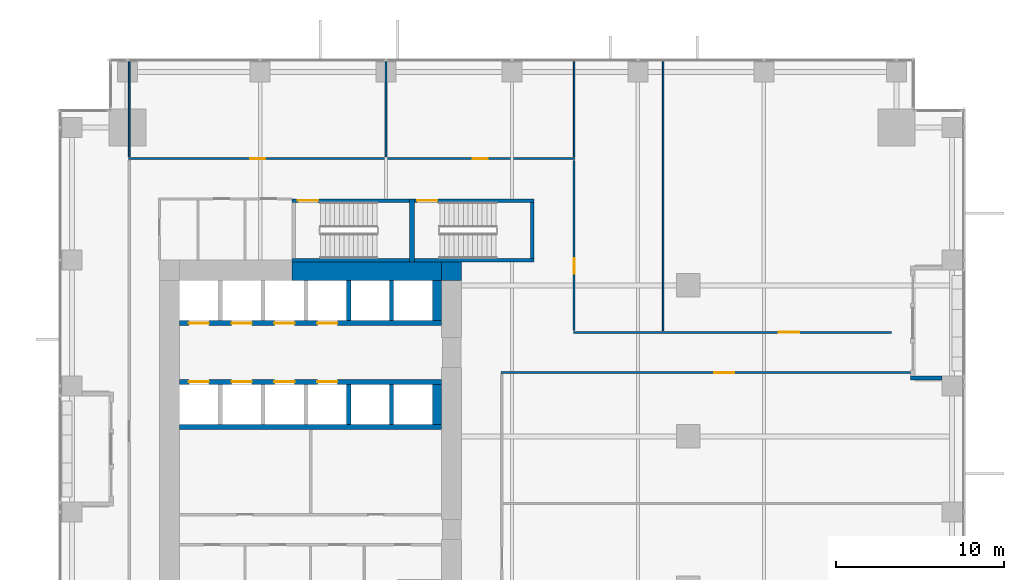
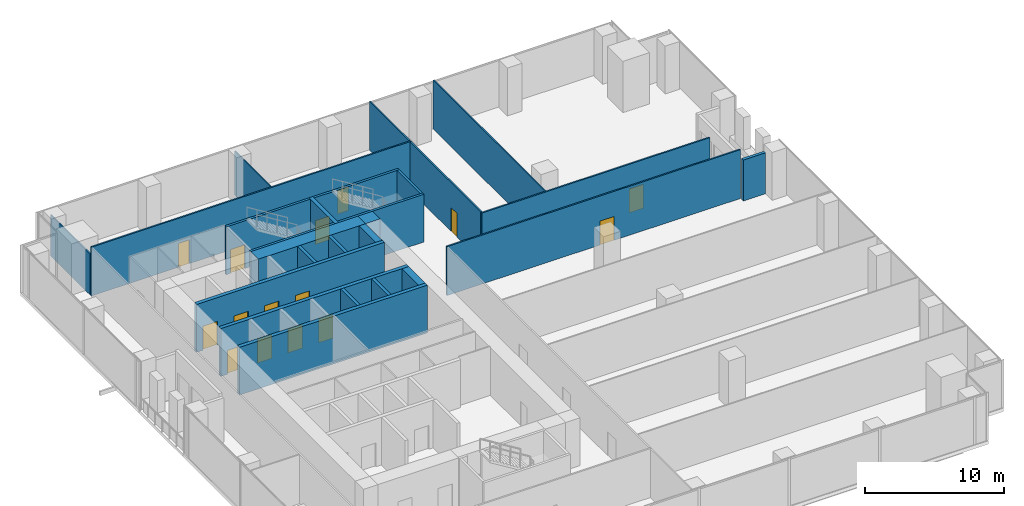
# One storey, part 28 of 32: 26 walls, 15 doors, 15 openings.
"""IFC4 building model written with IfcOpenShell, lengths in metres."""

from ifc_helpers import new_model, si_unit, direction, frame, frame_2d, origin, place, context, subcontext, project, spatial, rectangle, extrude, source, transform, mapped, material, layer, layer_set, type_object, element, fill, save


model = new_model("IFC4")

# Units and contexts
model_context = context("Model", 3, precision=1e-05, world=origin(), true_north=direction((0.0, 1.0)))
body_context = subcontext(model_context, "Body", "Model", "MODEL_VIEW")
ifc_project = project(units=[si_unit("LENGTHUNIT", "METRE"), si_unit("AREAUNIT", "SQUARE_METRE"), si_unit("VOLUMEUNIT", "CUBIC_METRE"), si_unit("PLANEANGLEUNIT", "RADIAN"), si_unit("MASSUNIT", "GRAM", prefix="KILO")], contexts=[model_context])

# Site, building, storey
site_placement = place(None, origin())
site = spatial("IfcSite", under=ifc_project, at=site_placement, CompositionType="ELEMENT")
building_placement = place(site_placement, origin())
building = spatial("IfcBuilding", under=site, at=building_placement, Name="Khomas Fold Tower", CompositionType="ELEMENT")
storey_placement = place(building_placement, frame((0.0, 0.0, 64.5)))
storey = spatial("IfcBuildingStorey", under=building, at=storey_placement, Name="L13", CompositionType="ELEMENT", Elevation=64.5)

# Walls
ifc_material_1 = material(Name="Concrete C70/85", Category="concrete")
ifc_layer_1 = layer(ifc_material_1, 1.10009765625)
ifc_layer_set_1 = layer_set([ifc_layer_1], Name="Concrete C70/85")
wall_type_1 = type_object("IfcWallType", Name="Core wall 1100", PredefinedType="SHEAR", material=ifc_layer_set_1)
shared_shape_1 = source(origin(), body_context, "Body", "SweptSolid", [
    extrude(rectangle(XDim=8.900146484375, YDim=1.10009765625, at=frame_2d((4.4501953125, 0.0))), origin(), (0.0, 0.0, 1.0), 4.199951171875),
])
wall_1_placement = place(storey_placement, frame((13.89990234375, 41.35009765625, 0.0), z_axis=(0.0, 0.0, 1.0), x_axis=(1.0, 0.0, 0.0)))
element("IfcWall", 1, at=wall_1_placement, inside=storey, type_object=wall_type_1, Name="Core wall CW-L-N-B2-1", PredefinedType="SHEAR", context=body_context, shape_type="MappedRepresentation", body=[
    mapped(shared_shape_1, transform((0.0, 0.0, 0.0))),
])
ifc_material_2 = material(Name="Concrete C70/85", Category="concrete")
ifc_layer_2 = layer(ifc_material_2, 1.10009765625)
ifc_layer_set_2 = layer_set([ifc_layer_2], Name="Concrete C70/85")
wall_type_2 = type_object("IfcWallType", Name="Core corner wall 1100", PredefinedType="SHEAR", material=ifc_layer_set_2)
shared_shape_2 = source(origin(), body_context, "Body", "SweptSolid", [
    extrude(rectangle(XDim=1.199951171875, YDim=1.10009765625, at=frame_2d((0.60009765625, 0.0))), origin(), (0.0, 0.0, 1.0), 4.199951171875),
])
wall_2_placement = place(storey_placement, frame((22.800048828125, 41.35009765625, 0.0), z_axis=(0.0, 0.0, 1.0), x_axis=(1.0, 0.0, 0.0)))
element("IfcWall", 2, at=wall_2_placement, inside=storey, type_object=wall_type_2, Name="Core wall CW-L-NE-B2", PredefinedType="SHEAR", context=body_context, shape_type="MappedRepresentation", body=[
    mapped(shared_shape_2, transform((0.0, 0.0, 0.0))),
])

# Wall, opening, door
ifc_material_3 = material(Name="Concrete C50/60", Category="concrete")
ifc_layer_3 = layer(ifc_material_3, 0.199951171875)
ifc_layer_set_3 = layer_set([ifc_layer_3], Name="Concrete C50/60")
wall_type_3 = type_object("IfcWallType", Name="Stair wall 200", PredefinedType="SHEAR", material=ifc_layer_set_3)
shared_shape_3 = source(origin(), body_context, "Body", "SweptSolid", [
    extrude(rectangle(XDim=7.0, YDim=0.199951171875, at=frame_2d((3.5, 0.0))), origin(), (0.0, 0.0, 1.0), 4.199951171875),
])
wall_3_placement = place(storey_placement, frame((13.89990234375, 45.550048828125, 0.0), z_axis=(0.0, 0.0, 1.0), x_axis=(1.0, 0.0, 0.0)))
wall_3 = element("IfcWall", 3, at=wall_3_placement, inside=storey, type_object=wall_type_3, Name="Stair wall SW-ST1-N", PredefinedType="SHEAR", context=body_context, shape_type="MappedRepresentation", body=[
    mapped(shared_shape_3, transform((0.0, 0.0, 0.0))),
])
shared_shape_4 = source(origin(), body_context, "Body", "SweptSolid", [
    extrude(rectangle(XDim=1.199951171875, YDim=2.10009765625, at=frame_2d((0.60009765625, 1.050048828125))), frame((0.0, 0.10986328125, 0.0), z_axis=(0.0, -1.0, 0.0), x_axis=(1.0, 0.0, 0.0)), (0.0, 0.0, 1.0), 0.219970703125),
])
opening_1_placement = place(wall_3_placement, frame((0.35009765625, 0.0, 0.0)))
opening_1 = element("IfcOpeningElement", 4, at=opening_1_placement, cuts=wall_3, Name="Opening SD-ST1", PredefinedType="OPENING", context=body_context, shape_type="MappedRepresentation", body=[
    mapped(shared_shape_4, transform((0.0, 0.0, 0.0))),
])
ifc_material_4 = material(Name="Steel door leaf", Category="steel")
door_type_1 = type_object("IfcDoorType", Name="Stair door 1200x2100 left-hand", OperationType="SINGLE_SWING_LEFT", PredefinedType="DOOR", material=ifc_material_4)
shared_shape_5 = source(origin(), body_context, "Body", "SweptSolid", [
    extrude(rectangle(XDim=1.199951171875, YDim=2.10009765625, at=frame_2d((0.60009765625, 1.050048828125))), frame((0.0, 0.02490234375, 0.0), z_axis=(0.0, -1.0, 0.0), x_axis=(1.0, 0.0, 0.0)), (0.0, 0.0, 1.0), 0.050048828125),
])
door_1_placement = place(opening_1_placement, origin())
door_1 = element("IfcDoor", 5, at=door_1_placement, inside=storey, type_object=door_type_1, Name="Stair door", OperationType="SINGLE_SWING_LEFT", OverallHeight=2.10009765625, OverallWidth=1.199951171875, PredefinedType="DOOR", context=body_context, shape_type="MappedRepresentation", body=[
    mapped(shared_shape_5, transform((0.0, 0.0, 0.0))),
])
fill(opening_1, door_1)

# Wall
wall_4_placement = place(storey_placement, frame((13.89990234375, 42.0, 0.0), z_axis=(0.0, 0.0, 1.0), x_axis=(1.0, 0.0, 0.0)))
element("IfcWall", 6, at=wall_4_placement, inside=storey, type_object=wall_type_3, Name="Stair wall SW-ST1-S", PredefinedType="SHEAR", context=body_context, shape_type="MappedRepresentation", body=[
    mapped(shared_shape_3, transform((0.0, 0.0, 0.0))),
])

# Wall, opening, door
shared_shape_6 = source(origin(), body_context, "Body", "SweptSolid", [
    extrude(rectangle(XDim=7.10009765625, YDim=0.199951171875, at=frame_2d((3.550048828125, 0.0))), origin(), (0.0, 0.0, 1.0), 4.199951171875),
])
wall_5_placement = place(storey_placement, frame((21.199951171875, 45.550048828125, 0.0), z_axis=(0.0, 0.0, 1.0), x_axis=(1.0, 0.0, 0.0)))
wall_5 = element("IfcWall", 7, at=wall_5_placement, inside=storey, type_object=wall_type_3, Name="Stair wall SW-ST3-N", PredefinedType="SHEAR", context=body_context, shape_type="MappedRepresentation", body=[
    mapped(shared_shape_6, transform((0.0, 0.0, 0.0))),
])
opening_2_placement = place(wall_5_placement, frame((0.14990234375, 0.0, 0.0)))
opening_2 = element("IfcOpeningElement", 8, at=opening_2_placement, cuts=wall_5, Name="Opening SD-ST3", PredefinedType="OPENING", context=body_context, shape_type="MappedRepresentation", body=[
    mapped(shared_shape_4, transform((0.0, 0.0, 0.0))),
])
door_2_placement = place(opening_2_placement, origin())
door_2 = element("IfcDoor", 9, at=door_2_placement, inside=storey, type_object=door_type_1, Name="Stair door", OperationType="SINGLE_SWING_LEFT", OverallHeight=2.10009765625, OverallWidth=1.199951171875, PredefinedType="DOOR", context=body_context, shape_type="MappedRepresentation", body=[
    mapped(shared_shape_5, transform((0.0, 0.0, 0.0))),
])
fill(opening_2, door_2)

# Walls
wall_6_placement = place(storey_placement, frame((21.199951171875, 42.0, 0.0), z_axis=(0.0, 0.0, 1.0), x_axis=(1.0, 0.0, 0.0)))
element("IfcWall", 10, at=wall_6_placement, inside=storey, type_object=wall_type_3, Name="Stair wall SW-ST3-S", PredefinedType="SHEAR", context=body_context, shape_type="MappedRepresentation", body=[
    mapped(shared_shape_6, transform((0.0, 0.0, 0.0))),
])
ifc_material_5 = material(Name="Concrete C50/60", Category="concrete")
ifc_layer_4 = layer(ifc_material_5, 0.300048828125)
ifc_layer_set_4 = layer_set([ifc_layer_4], Name="Concrete C50/60")
wall_type_4 = type_object("IfcWallType", Name="Stair wall 300", PredefinedType="SHEAR", material=ifc_layer_set_4)
shared_shape_7 = source(origin(), body_context, "Body", "SweptSolid", [
    extrude(rectangle(XDim=3.75, YDim=0.300048828125, at=frame_2d((1.875, 0.0))), origin(), (0.0, 0.0, 1.0), 4.199951171875),
])
wall_7_placement = place(storey_placement, frame((21.050048828125, 41.89990234375, 0.0), z_axis=(0.0, 0.0, 1.0), x_axis=(0.0, 1.0, 0.0)))
element("IfcWall", 11, at=wall_7_placement, inside=storey, type_object=wall_type_4, Name="Stair wall SW-ST1-E", PredefinedType="SHEAR", context=body_context, shape_type="MappedRepresentation", body=[
    mapped(shared_shape_7, transform((0.0, 0.0, 0.0))),
])
shared_shape_8 = source(origin(), body_context, "Body", "SweptSolid", [
    extrude(rectangle(XDim=3.349853515625, YDim=0.199951171875, at=frame_2d((1.6748046875, 0.0))), origin(), (0.0, 0.0, 1.0), 4.199951171875),
])
wall_8_placement = place(storey_placement, frame((28.199951171875, 42.10009765625, 0.0), z_axis=(0.0, 0.0, 1.0), x_axis=(0.0, 1.0, 0.0)))
element("IfcWall", 12, at=wall_8_placement, inside=storey, type_object=wall_type_3, Name="Stair wall SW-ST3-E", PredefinedType="SHEAR", context=body_context, shape_type="MappedRepresentation", body=[
    mapped(shared_shape_8, transform((0.0, 0.0, 0.0))),
])
ifc_material_6 = material(Name="Concrete C50/60", Category="concrete")
ifc_layer_5 = layer(ifc_material_6, 0.300048828125)
ifc_layer_set_5 = layer_set([ifc_layer_5], Name="Concrete C50/60")
wall_type_5 = type_object("IfcWallType", Name="Shaft wall 300", PredefinedType="STANDARD", material=ifc_layer_set_5)
shared_shape_9 = source(origin(), body_context, "Body", "SweptSolid", [
    extrude(rectangle(XDim=15.60009765625, YDim=0.300048828125, at=frame_2d((7.800048828125, 0.0))), origin(), (0.0, 0.0, 1.0), 4.199951171875),
])
wall_9_placement = place(storey_placement, frame((7.199951171875, 32.050048828125, 0.0), z_axis=(0.0, 0.0, 1.0), x_axis=(1.0, 0.0, 0.0)))
element("IfcWall", 13, at=wall_9_placement, inside=storey, type_object=wall_type_5, Name="Core wall SW-HRN-B", PredefinedType="STANDARD", context=body_context, shape_type="MappedRepresentation", body=[
    mapped(shared_shape_9, transform((0.0, 0.0, 0.0))),
])

# Wall, openings, doors
wall_10_placement = place(storey_placement, frame((7.199951171875, 38.25, 0.0), z_axis=(0.0, 0.0, 1.0), x_axis=(1.0, 0.0, 0.0)))
wall_10 = element("IfcWall", 14, at=wall_10_placement, inside=storey, type_object=wall_type_5, Name="Core wall SW-LRN-F", PredefinedType="STANDARD", context=body_context, shape_type="MappedRepresentation", body=[
    mapped(shared_shape_9, transform((0.0, 0.0, 0.0))),
])
shared_shape_10 = source(origin(), body_context, "Body", "SweptSolid", [
    extrude(rectangle(XDim=1.199951171875, YDim=2.10009765625, at=frame_2d((0.60009765625, 1.050048828125))), frame((0.0, 0.159912109375, 0.0), z_axis=(0.0, -1.0, 0.0), x_axis=(1.0, 0.0, 0.0)), (0.0, 0.0, 1.0), 0.320068359375),
])
opening_3_placement = place(wall_10_placement, frame((0.550048828125, 0.0, 0.0)))
opening_3 = element("IfcOpeningElement", 15, at=opening_3_placement, cuts=wall_10, Name="Opening LD-LR5", PredefinedType="OPENING", context=body_context, shape_type="MappedRepresentation", body=[
    mapped(shared_shape_10, transform((0.0, 0.0, 0.0))),
])
opening_4_placement = place(wall_10_placement, frame((3.10009765625, 0.0, 0.0)))
opening_4 = element("IfcOpeningElement", 16, at=opening_4_placement, cuts=wall_10, Name="Opening LD-LR6", PredefinedType="OPENING", context=body_context, shape_type="MappedRepresentation", body=[
    mapped(shared_shape_10, transform((0.0, 0.0, 0.0))),
])
opening_5_placement = place(wall_10_placement, frame((5.64990234375, 0.0, 0.0)))
opening_5 = element("IfcOpeningElement", 17, at=opening_5_placement, cuts=wall_10, Name="Opening LD-LR7", PredefinedType="OPENING", context=body_context, shape_type="MappedRepresentation", body=[
    mapped(shared_shape_10, transform((0.0, 0.0, 0.0))),
])
opening_6_placement = place(wall_10_placement, frame((8.199951171875, 0.0, 0.0)))
opening_6 = element("IfcOpeningElement", 18, at=opening_6_placement, cuts=wall_10, Name="Opening LD-LR8", PredefinedType="OPENING", context=body_context, shape_type="MappedRepresentation", body=[
    mapped(shared_shape_10, transform((0.0, 0.0, 0.0))),
])
ifc_material_7 = material(Name="Steel door leaf", Category="steel")
door_type_2 = type_object("IfcDoorType", Name="Landing door 1200x2100", OperationType="DOUBLE_DOOR_SLIDING", PredefinedType="DOOR", material=ifc_material_7)
door_3_placement = place(opening_3_placement, origin())
door_3 = element("IfcDoor", 19, at=door_3_placement, inside=storey, type_object=door_type_2, Name="Lift landing door", OperationType="DOUBLE_DOOR_SLIDING", OverallHeight=2.10009765625, OverallWidth=1.199951171875, PredefinedType="DOOR", context=body_context, shape_type="MappedRepresentation", body=[
    mapped(shared_shape_5, transform((0.0, 0.0, 0.0))),
])
fill(opening_3, door_3)
door_4_placement = place(opening_4_placement, origin())
door_4 = element("IfcDoor", 20, at=door_4_placement, inside=storey, type_object=door_type_2, Name="Lift landing door", OperationType="DOUBLE_DOOR_SLIDING", OverallHeight=2.10009765625, OverallWidth=1.199951171875, PredefinedType="DOOR", context=body_context, shape_type="MappedRepresentation", body=[
    mapped(shared_shape_5, transform((0.0, 0.0, 0.0))),
])
fill(opening_4, door_4)
door_5_placement = place(opening_5_placement, origin())
door_5 = element("IfcDoor", 21, at=door_5_placement, inside=storey, type_object=door_type_2, Name="Lift landing door", OperationType="DOUBLE_DOOR_SLIDING", OverallHeight=2.10009765625, OverallWidth=1.199951171875, PredefinedType="DOOR", context=body_context, shape_type="MappedRepresentation", body=[
    mapped(shared_shape_5, transform((0.0, 0.0, 0.0))),
])
fill(opening_5, door_5)
door_6_placement = place(opening_6_placement, origin())
door_6 = element("IfcDoor", 22, at=door_6_placement, inside=storey, type_object=door_type_2, Name="Lift landing door", OperationType="DOUBLE_DOOR_SLIDING", OverallHeight=2.10009765625, OverallWidth=1.199951171875, PredefinedType="DOOR", context=body_context, shape_type="MappedRepresentation", body=[
    mapped(shared_shape_5, transform((0.0, 0.0, 0.0))),
])
fill(opening_6, door_6)

wall_11_placement = place(storey_placement, frame((7.199951171875, 34.75, 0.0), z_axis=(0.0, 0.0, 1.0), x_axis=(1.0, 0.0, 0.0)))
wall_11 = element("IfcWall", 23, at=wall_11_placement, inside=storey, type_object=wall_type_5, Name="Core wall SW-LRS-F", PredefinedType="STANDARD", context=body_context, shape_type="MappedRepresentation", body=[
    mapped(shared_shape_9, transform((0.0, 0.0, 0.0))),
])
opening_7_placement = place(wall_11_placement, frame((0.550048828125, 0.0, 0.0)))
opening_7 = element("IfcOpeningElement", 24, at=opening_7_placement, cuts=wall_11, Name="Opening LD-LR1", PredefinedType="OPENING", context=body_context, shape_type="MappedRepresentation", body=[
    mapped(shared_shape_10, transform((0.0, 0.0, 0.0))),
])
opening_8_placement = place(wall_11_placement, frame((3.10009765625, 0.0, 0.0)))
opening_8 = element("IfcOpeningElement", 25, at=opening_8_placement, cuts=wall_11, Name="Opening LD-LR2", PredefinedType="OPENING", context=body_context, shape_type="MappedRepresentation", body=[
    mapped(shared_shape_10, transform((0.0, 0.0, 0.0))),
])
opening_9_placement = place(wall_11_placement, frame((5.64990234375, 0.0, 0.0)))
opening_9 = element("IfcOpeningElement", 26, at=opening_9_placement, cuts=wall_11, Name="Opening LD-LR3", PredefinedType="OPENING", context=body_context, shape_type="MappedRepresentation", body=[
    mapped(shared_shape_10, transform((0.0, 0.0, 0.0))),
])
opening_10_placement = place(wall_11_placement, frame((8.199951171875, 0.0, 0.0)))
opening_10 = element("IfcOpeningElement", 27, at=opening_10_placement, cuts=wall_11, Name="Opening LD-LR4", PredefinedType="OPENING", context=body_context, shape_type="MappedRepresentation", body=[
    mapped(shared_shape_10, transform((0.0, 0.0, 0.0))),
])
door_7_placement = place(opening_7_placement, origin())
door_7 = element("IfcDoor", 28, at=door_7_placement, inside=storey, type_object=door_type_2, Name="Lift landing door", OperationType="DOUBLE_DOOR_SLIDING", OverallHeight=2.10009765625, OverallWidth=1.199951171875, PredefinedType="DOOR", context=body_context, shape_type="MappedRepresentation", body=[
    mapped(shared_shape_5, transform((0.0, 0.0, 0.0))),
])
fill(opening_7, door_7)
door_8_placement = place(opening_8_placement, origin())
door_8 = element("IfcDoor", 29, at=door_8_placement, inside=storey, type_object=door_type_2, Name="Lift landing door", OperationType="DOUBLE_DOOR_SLIDING", OverallHeight=2.10009765625, OverallWidth=1.199951171875, PredefinedType="DOOR", context=body_context, shape_type="MappedRepresentation", body=[
    mapped(shared_shape_5, transform((0.0, 0.0, 0.0))),
])
fill(opening_8, door_8)
door_9_placement = place(opening_9_placement, origin())
door_9 = element("IfcDoor", 30, at=door_9_placement, inside=storey, type_object=door_type_2, Name="Lift landing door", OperationType="DOUBLE_DOOR_SLIDING", OverallHeight=2.10009765625, OverallWidth=1.199951171875, PredefinedType="DOOR", context=body_context, shape_type="MappedRepresentation", body=[
    mapped(shared_shape_5, transform((0.0, 0.0, 0.0))),
])
fill(opening_9, door_9)
door_10_placement = place(opening_10_placement, origin())
door_10 = element("IfcDoor", 31, at=door_10_placement, inside=storey, type_object=door_type_2, Name="Lift landing door", OperationType="DOUBLE_DOOR_SLIDING", OverallHeight=2.10009765625, OverallWidth=1.199951171875, PredefinedType="DOOR", context=body_context, shape_type="MappedRepresentation", body=[
    mapped(shared_shape_5, transform((0.0, 0.0, 0.0))),
])
fill(opening_10, door_10)

# Walls
ifc_material_8 = material(Name="Concrete C50/60", Category="concrete")
ifc_layer_6 = layer(ifc_material_8, 0.25)
ifc_layer_set_6 = layer_set([ifc_layer_6], Name="Concrete C50/60")
wall_type_6 = type_object("IfcWallType", Name="Shaft wall 250", PredefinedType="STANDARD", material=ifc_layer_set_6)
shared_shape_11 = source(origin(), body_context, "Body", "SweptSolid", [
    extrude(rectangle(XDim=2.400146484375, YDim=0.25, at=frame_2d((1.2001953125, 0.0))), origin(), (0.0, 0.0, 1.0), 4.199951171875),
])
for number, where, z_axis, x_axis, name in (
    (32, (17.27490234375, 38.39990234375, 0.0), (0.0, 0.0, 1.0), (0.0, 1.0, 0.0), "Core wall SW-LRN-P4"),
    (33, (19.824951171875, 38.39990234375, 0.0), (0.0, 0.0, 1.0), (0.0, 1.0, 0.0), "Core wall SW-LRN-P5"),
    (34, (17.27490234375, 32.199951171875, 0.0), (0.0, 0.0, 1.0), (0.0, 1.0, 0.0), "Core wall SW-LRS-P4"),
    (35, (19.824951171875, 32.199951171875, 0.0), (0.0, 0.0, 1.0), (0.0, 1.0, 0.0), "Core wall SW-LRS-P5"),
):
    element("IfcWall", number, at=place(storey_placement, frame(where, z_axis=z_axis, x_axis=x_axis)), inside=storey, type_object=wall_type_6, Name=name, PredefinedType="STANDARD", context=body_context, shape_type="MappedRepresentation", body=[
        mapped(shared_shape_11, transform((0.0, 0.0, 0.0))),
    ])
ifc_material_9 = material(Name="Concrete C50/60", Category="concrete")
ifc_layer_7 = layer(ifc_material_9, 0.550048828125)
ifc_layer_set_7 = layer_set([ifc_layer_7], Name="Concrete C50/60")
wall_type_7 = type_object("IfcWallType", Name="Shaft wall 550", PredefinedType="STANDARD", material=ifc_layer_set_7)
shared_shape_12 = source(origin(), body_context, "Body", "SweptSolid", [
    extrude(rectangle(XDim=2.400146484375, YDim=0.550048828125, at=frame_2d((1.2001953125, 0.0))), origin(), (0.0, 0.0, 1.0), 4.199951171875),
])
for number, where, z_axis, x_axis, name in (
    (36, (22.52490234375, 38.39990234375, 0.0), (0.0, 0.0, 1.0), (0.0, 1.0, 0.0), "Core wall SW-LRN-PE"),
    (37, (22.52490234375, 32.199951171875, 0.0), (0.0, 0.0, 1.0), (0.0, 1.0, 0.0), "Core wall SW-LRS-PE"),
):
    element("IfcWall", number, at=place(storey_placement, frame(where, z_axis=z_axis, x_axis=x_axis)), inside=storey, type_object=wall_type_7, Name=name, PredefinedType="STANDARD", context=body_context, shape_type="MappedRepresentation", body=[
        mapped(shared_shape_12, transform((0.0, 0.0, 0.0))),
    ])
ifc_material_10 = material(Name="Natural stone", Category="masonry")
ifc_layer_8 = layer(ifc_material_10, 0.0400390625)
ifc_material_11 = material(Name="Mineral wool insulation", Category="insulation")
ifc_layer_9 = layer(ifc_material_11, 0.10009765625)
ifc_material_12 = material(Name="Masonry", Category="masonry")
ifc_layer_10 = layer(ifc_material_12, 0.110107421875)
ifc_layer_set_8 = layer_set([ifc_layer_8, ifc_layer_9, ifc_layer_10], Name="Stone-faced insulated masonry")
wall_type_8 = type_object("IfcWallType", Name="BL-Balcony wall", PredefinedType="SOLIDWALL", material=ifc_layer_set_8)
shared_shape_13 = source(origin(), body_context, "Body", "SweptSolid", [
    extrude(rectangle(XDim=1.85009765625, YDim=0.25, at=frame_2d((0.925048828125, 0.0))), origin(), (0.0, 0.0, 1.0), 3.60009765625),
])
wall_12_placement = place(storey_placement, frame((52.60009765625, 34.97509765625, 0.0), z_axis=(0.0, 0.0, 1.0), x_axis=(-1.0, 0.0, 0.0)))
element("IfcWall", 38, at=wall_12_placement, inside=storey, type_object=wall_type_8, Name="Balcony return wall BAL-L13-E4-lo", PredefinedType="SOLIDWALL", context=body_context, shape_type="MappedRepresentation", body=[
    mapped(shared_shape_13, transform((0.0, 0.0, 0.0))),
])

# Wall, opening, door
ifc_material_13 = material(Name="Plasterboard partition")
ifc_layer_11 = layer(ifc_material_13, 0.125)
ifc_layer_set_9 = layer_set([ifc_layer_11], Name="Plasterboard partition")
wall_type_9 = type_object("IfcWallType", Name="Partition PW2 125", PredefinedType="PARTITIONING", material=ifc_layer_set_9)
shared_shape_14 = source(origin(), body_context, "Body", "SweptSolid", [
    extrude(rectangle(XDim=10.14990234375, YDim=0.125, at=frame_2d((5.074951171875, 0.0))), origin(), (0.0, 0.0, 1.0), 4.300048828125),
])
wall_13_placement = place(storey_placement, frame((30.699951171875, 37.800048828125, 0.0), z_axis=(0.0, 0.0, 1.0), x_axis=(0.0, 1.0, 0.0)))
wall_13 = element("IfcWall", 39, at=wall_13_placement, inside=storey, type_object=wall_type_9, Name="Partition", PredefinedType="PARTITIONING", context=body_context, shape_type="MappedRepresentation", body=[
    mapped(shared_shape_14, transform((0.0, 0.0, 0.0))),
])
shared_shape_15 = source(origin(), body_context, "Body", "SweptSolid", [
    extrude(rectangle(XDim=0.89990234375, YDim=2.10009765625, at=frame_2d((0.449951171875, 1.050048828125))), frame((0.0, 0.072509765625, 0.0), z_axis=(0.0, -1.0, 0.0), x_axis=(1.0, 0.0, 0.0)), (0.0, 0.0, 1.0), 0.14501953125),
])
opening_11_placement = place(wall_13_placement, frame((3.39990234375, 0.0, 0.0)))
opening_11 = element("IfcOpeningElement", 40, at=opening_11_placement, cuts=wall_13, Name="Opening 0007", PredefinedType="OPENING", context=body_context, shape_type="MappedRepresentation", body=[
    mapped(shared_shape_15, transform((0.0, 0.0, 0.0))),
])
ifc_material_14 = material(Name="Timber door leaf", Category="wood")
door_type_3 = type_object("IfcDoorType", Name="Door 900x2100 left-hand", OperationType="SINGLE_SWING_LEFT", PredefinedType="DOOR", material=ifc_material_14)
shared_shape_16 = source(origin(), body_context, "Body", "SweptSolid", [
    extrude(rectangle(XDim=0.89990234375, YDim=2.10009765625, at=frame_2d((0.449951171875, 1.050048828125))), frame((0.0, 0.02490234375, 0.0), z_axis=(0.0, -1.0, 0.0), x_axis=(1.0, 0.0, 0.0)), (0.0, 0.0, 1.0), 0.050048828125),
])
door_11_placement = place(opening_11_placement, origin())
door_11 = element("IfcDoor", 41, at=door_11_placement, inside=storey, type_object=door_type_3, Name="Door", OperationType="SINGLE_SWING_LEFT", OverallHeight=2.10009765625, OverallWidth=0.89990234375, PredefinedType="DOOR", context=body_context, shape_type="MappedRepresentation", body=[
    mapped(shared_shape_16, transform((0.0, 0.0, 0.0))),
])
fill(opening_11, door_11)

# Walls
ifc_material_15 = material(Name="Plasterboard partition")
ifc_layer_12 = layer(ifc_material_15, 0.10009765625)
ifc_layer_set_10 = layer_set([ifc_layer_12], Name="Plasterboard partition")
wall_type_10 = type_object("IfcWallType", Name="Partition PW1 100", PredefinedType="PARTITIONING", material=ifc_layer_set_10)
shared_shape_17 = source(origin(), body_context, "Body", "SweptSolid", [
    extrude(rectangle(XDim=5.7001953125, YDim=0.10009765625, at=frame_2d((2.85009765625, 0.0))), origin(), (0.0, 0.0, 1.0), 3.840087890625),
])
wall_14_placement = place(storey_placement, frame((19.5, 48.14990234375, 0.0), z_axis=(0.0, 0.0, 1.0), x_axis=(0.0, 1.0, 0.0)))
element("IfcWall", 42, at=wall_14_placement, inside=storey, type_object=wall_type_10, Name="Partition", PredefinedType="PARTITIONING", context=body_context, shape_type="MappedRepresentation", body=[
    mapped(shared_shape_17, transform((0.0, 0.0, 0.0))),
])
shared_shape_18 = source(origin(), body_context, "Body", "SweptSolid", [
    extrude(rectangle(XDim=5.7001953125, YDim=0.10009765625, at=frame_2d((2.85009765625, 0.0))), origin(), (0.0, 0.0, 1.0), 4.300048828125),
])
wall_15_placement = place(storey_placement, frame((30.699951171875, 48.14990234375, 0.0), z_axis=(0.0, 0.0, 1.0), x_axis=(0.0, 1.0, 0.0)))
element("IfcWall", 43, at=wall_15_placement, inside=storey, type_object=wall_type_10, Name="Partition", PredefinedType="PARTITIONING", context=body_context, shape_type="MappedRepresentation", body=[
    mapped(shared_shape_18, transform((0.0, 0.0, 0.0))),
])

# Wall, openings, doors
shared_shape_19 = source(origin(), body_context, "Body", "SweptSolid", [
    extrude(rectangle(XDim=26.60009765625, YDim=0.125, at=frame_2d((13.300048828125, 0.0))), origin(), (0.0, 0.0, 1.0), 4.300048828125),
])
wall_16_placement = place(storey_placement, frame((4.14990234375, 48.050048828125, 0.0), z_axis=(0.0, 0.0, 1.0), x_axis=(1.0, 0.0, 0.0)))
wall_16 = element("IfcWall", 44, at=wall_16_placement, inside=storey, type_object=wall_type_9, Name="Partition", PredefinedType="PARTITIONING", context=body_context, shape_type="MappedRepresentation", body=[
    mapped(shared_shape_19, transform((0.0, 0.0, 0.0))),
])
opening_12_placement = place(wall_16_placement, frame((7.25, 0.0, 0.0)))
opening_12 = element("IfcOpeningElement", 45, at=opening_12_placement, cuts=wall_16, Name="Opening 0007", PredefinedType="OPENING", context=body_context, shape_type="MappedRepresentation", body=[
    mapped(shared_shape_15, transform((0.0, 0.0, 0.0))),
])
opening_13_placement = place(wall_16_placement, frame((20.5, 0.0, 0.0)))
opening_13 = element("IfcOpeningElement", 46, at=opening_13_placement, cuts=wall_16, Name="Opening 0008", PredefinedType="OPENING", context=body_context, shape_type="MappedRepresentation", body=[
    mapped(shared_shape_15, transform((0.0, 0.0, 0.0))),
])
door_12_placement = place(opening_12_placement, origin())
door_12 = element("IfcDoor", 47, at=door_12_placement, inside=storey, type_object=door_type_3, Name="Door", OperationType="SINGLE_SWING_LEFT", OverallHeight=2.10009765625, OverallWidth=0.89990234375, PredefinedType="DOOR", context=body_context, shape_type="MappedRepresentation", body=[
    mapped(shared_shape_16, transform((0.0, 0.0, 0.0))),
])
fill(opening_12, door_12)
ifc_material_16 = material(Name="Timber door leaf", Category="wood")
door_type_4 = type_object("IfcDoorType", Name="Door 900x2100 right-hand", OperationType="SINGLE_SWING_RIGHT", PredefinedType="DOOR", material=ifc_material_16)
door_13_placement = place(opening_13_placement, origin())
door_13 = element("IfcDoor", 48, at=door_13_placement, inside=storey, type_object=door_type_4, Name="Door", OperationType="SINGLE_SWING_RIGHT", OverallHeight=2.10009765625, OverallWidth=0.89990234375, PredefinedType="DOOR", context=body_context, shape_type="MappedRepresentation", body=[
    mapped(shared_shape_16, transform((0.0, 0.0, 0.0))),
])
fill(opening_13, door_13)

# Wall
shared_shape_20 = source(origin(), body_context, "Body", "SweptSolid", [
    extrude(rectangle(XDim=5.7001953125, YDim=0.10009765625, at=frame_2d((2.85009765625, 0.0))), origin(), (0.0, 0.0, 1.0), 3.60009765625),
])
wall_17_placement = place(storey_placement, frame((4.199951171875, 48.14990234375, 0.0), z_axis=(0.0, 0.0, 1.0), x_axis=(0.0, 1.0, 0.0)))
element("IfcWall", 49, at=wall_17_placement, inside=storey, type_object=wall_type_10, Name="Partition", PredefinedType="PARTITIONING", context=body_context, shape_type="MappedRepresentation", body=[
    mapped(shared_shape_20, transform((0.0, 0.0, 0.0))),
])

# Wall, opening, door
shared_shape_21 = source(origin(), body_context, "Body", "SweptSolid", [
    extrude(rectangle(XDim=24.39990234375, YDim=0.125, at=frame_2d((12.199951171875, 0.0))), origin(), (0.0, 0.0, 1.0), 4.300048828125),
])
wall_18_placement = place(storey_placement, frame((26.35009765625, 35.300048828125, 0.0), z_axis=(0.0, 0.0, 1.0), x_axis=(1.0, 0.0, 0.0)))
wall_18 = element("IfcWall", 50, at=wall_18_placement, inside=storey, type_object=wall_type_9, Name="Partition", PredefinedType="PARTITIONING", context=body_context, shape_type="MappedRepresentation", body=[
    mapped(shared_shape_21, transform((0.0, 0.0, 0.0))),
])
shared_shape_22 = source(origin(), body_context, "Body", "SweptSolid", [
    extrude(rectangle(XDim=1.199951171875, YDim=2.10009765625, at=frame_2d((0.60009765625, 1.050048828125))), frame((0.0, 0.072509765625, 0.0), z_axis=(0.0, -1.0, 0.0), x_axis=(1.0, 0.0, 0.0)), (0.0, 0.0, 1.0), 0.14501953125),
])
opening_14_placement = place(wall_18_placement, frame((12.699951171875, 0.0, 0.0)))
opening_14 = element("IfcOpeningElement", 51, at=opening_14_placement, cuts=wall_18, Name="Opening 0013", PredefinedType="OPENING", context=body_context, shape_type="MappedRepresentation", body=[
    mapped(shared_shape_22, transform((0.0, 0.0, 0.0))),
])
ifc_material_17 = material(Name="Timber door leaf", Category="wood")
door_type_5 = type_object("IfcDoorType", Name="Door 1200x2100 left-hand", OperationType="SINGLE_SWING_LEFT", PredefinedType="DOOR", material=ifc_material_17)
door_14_placement = place(opening_14_placement, origin())
door_14 = element("IfcDoor", 52, at=door_14_placement, inside=storey, type_object=door_type_5, Name="Door", OperationType="SINGLE_SWING_LEFT", OverallHeight=2.10009765625, OverallWidth=1.199951171875, PredefinedType="DOOR", context=body_context, shape_type="MappedRepresentation", body=[
    mapped(shared_shape_5, transform((0.0, 0.0, 0.0))),
])
fill(opening_14, door_14)

shared_shape_23 = source(origin(), body_context, "Body", "SweptSolid", [
    extrude(rectangle(XDim=18.9501953125, YDim=0.125, at=frame_2d((9.47509765625, 0.0))), origin(), (0.0, 0.0, 1.0), 4.300048828125),
])
wall_19_placement = place(storey_placement, frame((30.64990234375, 37.699951171875, 0.0), z_axis=(0.0, 0.0, 1.0), x_axis=(1.0, 0.0, 0.0)))
wall_19 = element("IfcWall", 53, at=wall_19_placement, inside=storey, type_object=wall_type_9, Name="Partition", PredefinedType="PARTITIONING", context=body_context, shape_type="MappedRepresentation", body=[
    mapped(shared_shape_23, transform((0.0, 0.0, 0.0))),
])
opening_15_placement = place(wall_19_placement, frame((12.25, 0.0, 0.0)))
opening_15 = element("IfcOpeningElement", 54, at=opening_15_placement, cuts=wall_19, Name="Opening 0001", PredefinedType="OPENING", context=body_context, shape_type="MappedRepresentation", body=[
    mapped(shared_shape_22, transform((0.0, 0.0, 0.0))),
])
ifc_material_18 = material(Name="Timber door leaf", Category="wood")
door_type_6 = type_object("IfcDoorType", Name="Door 1200x2100 right-hand", OperationType="SINGLE_SWING_RIGHT", PredefinedType="DOOR", material=ifc_material_18)
door_15_placement = place(opening_15_placement, origin())
door_15 = element("IfcDoor", 55, at=door_15_placement, inside=storey, type_object=door_type_6, Name="Door", OperationType="SINGLE_SWING_RIGHT", OverallHeight=2.10009765625, OverallWidth=1.199951171875, PredefinedType="DOOR", context=body_context, shape_type="MappedRepresentation", body=[
    mapped(shared_shape_5, transform((0.0, 0.0, 0.0))),
])
fill(opening_15, door_15)

# Wall
shared_shape_24 = source(origin(), body_context, "Body", "SweptSolid", [
    extrude(rectangle(XDim=16.050048828125, YDim=0.10009765625, at=frame_2d((8.02490234375, 0.0))), origin(), (0.0, 0.0, 1.0), 4.300048828125),
])
wall_20_placement = place(storey_placement, frame((36.0, 37.800048828125, 0.0), z_axis=(0.0, 0.0, 1.0), x_axis=(0.0, 1.0, 0.0)))
element("IfcWall", 56, at=wall_20_placement, inside=storey, type_object=wall_type_10, Name="Partition", PredefinedType="PARTITIONING", context=body_context, shape_type="MappedRepresentation", body=[
    mapped(shared_shape_24, transform((0.0, 0.0, 0.0))),
])

save(model, "model.ifc")
